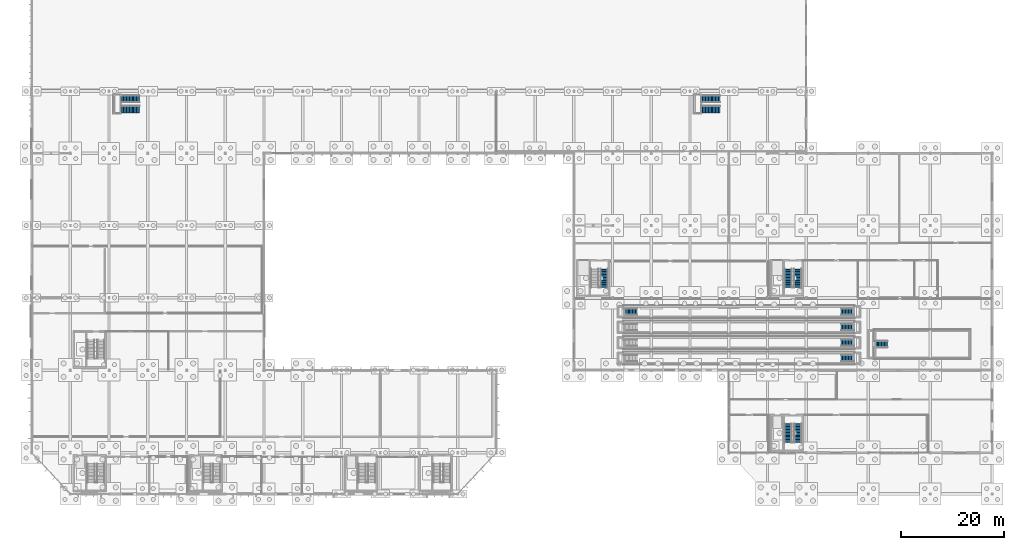
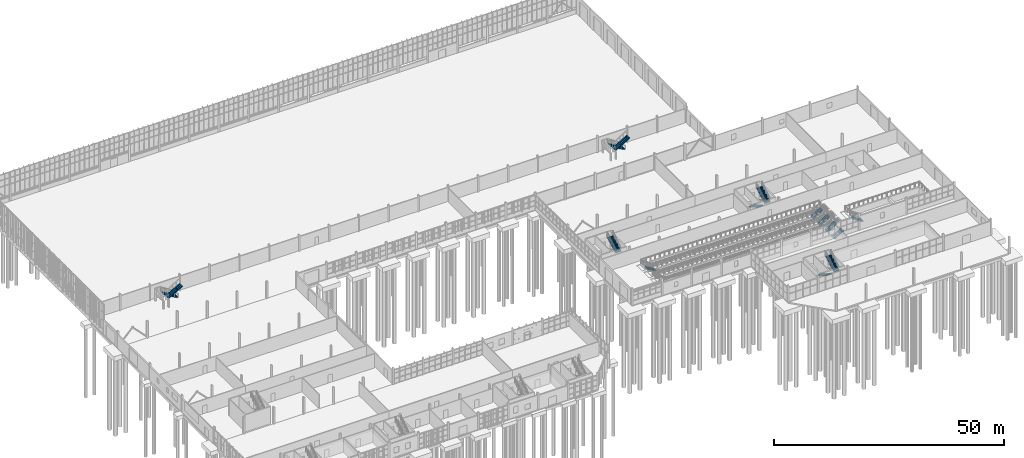
# One storey, part 118 of 136: 15 stair flights, 11 elements without a shape of their own.
"""IFC4 building model written with IfcOpenShell, lengths in metres."""

from ifc_helpers import new_model, si_unit, direction, frame, origin, place, context, subcontext, project, spatial, polyline, outline, extrude, material, type_object, element, aggregate, save


model = new_model("IFC4")

# Units and contexts
model_context = context("Model", 3, precision=1e-05, world=origin(), true_north=direction((0.0, 1.0)))
body_context = subcontext(model_context, "Body", "Model", "MODEL_VIEW")
ifc_project = project(units=[si_unit("LENGTHUNIT", "METRE"), si_unit("AREAUNIT", "SQUARE_METRE"), si_unit("VOLUMEUNIT", "CUBIC_METRE"), si_unit("PLANEANGLEUNIT", "RADIAN"), si_unit("MASSUNIT", "GRAM", prefix="KILO")], contexts=[model_context])

# Site, building, storey
site_placement = place(None, origin())
site = spatial("IfcSite", under=ifc_project, at=site_placement, CompositionType="ELEMENT")
building_placement = place(site_placement, origin())
building = spatial("IfcBuilding", under=site, at=building_placement, Name="Solvenia Promenade Tram Depot", CompositionType="ELEMENT")
storey_placement = place(building_placement, origin())
storey = spatial("IfcBuildingStorey", under=building, at=storey_placement, Name="L00", CompositionType="ELEMENT", Elevation=0.0)

# Stair, stair flights
ifc_material_1 = material(Name="Concrete C28/35", Category="concrete")
stair_type_1 = type_object("IfcStairType", Name="Stair-Core-1400", PredefinedType="TWO_STRAIGHT_RUN_STAIR", material=ifc_material_1)
stair_1_placement = place(storey_placement, origin())
stair_1 = element("IfcStair", 1, at=stair_1_placement, inside=storey, type_object=stair_type_1, Name="Enclosed Exit Stair ST-08-L00", PredefinedType="TWO_STRAIGHT_RUN_STAIR")
stair_flight_type_1 = type_object("IfcStairFlightType", Name="Flight-Core-1400", PredefinedType="STRAIGHT", material=ifc_material_1)
stair_flight_1_placement = place(storey_placement, frame((146.47998046875, 13.6201171875, 0.0), z_axis=(0.0, 0.0, 1.0), x_axis=(0.0, -1.0, 0.0)))
stair_flight_1 = element("IfcStairFlight", 2, at=stair_flight_1_placement, type_object=stair_flight_type_1, Name="ST-08-L00 flight 1", NumberOfRisers=14, NumberOfTreads=13, PredefinedType="STRAIGHT", RiserHeight=0.160714286, TreadLength=0.28, context=body_context, shape_type="SweptSolid", body=[
    extrude(outline(polyline([(0.0, 0.0), (0.0, 0.16064453125), (0.280029296875, 0.16064453125), (0.280029296875, 0.321533203125), (0.56005859375, 0.321533203125), (0.56005859375, 0.482177734375), (0.840087890625, 0.482177734375), (0.840087890625, 0.642822265625), (1.1201171875, 0.642822265625), (1.1201171875, 0.803466796875), (1.39990234375, 0.803466796875), (1.39990234375, 0.96435546875), (1.679931640625, 0.96435546875), (1.679931640625, 1.125), (1.9599609375, 1.125), (1.9599609375, 1.28564453125), (2.239990234375, 1.28564453125), (2.239990234375, 1.446533203125), (2.52001953125, 1.446533203125), (2.52001953125, 1.607177734375), (2.800048828125, 1.607177734375), (2.800048828125, 1.767822265625), (3.080078125, 1.767822265625), (3.080078125, 1.928466796875), (3.360107421875, 1.928466796875), (3.360107421875, 2.08935546875), (3.639892578125, 2.08935546875), (3.639892578125, 2.25), (3.639892578125, 1.90478515625), (0.3212890625, 0.0), (0.0, 0.0)])), frame((0.0, 0.699951171875, 0.0), z_axis=(0.0, -1.0, 0.0), x_axis=(1.0, 0.0, 0.0)), (0.0, 0.0, 1.0), 1.39990234375),
])
stair_flight_2_placement = place(storey_placement, frame((148.419921875, 9.97998046875, 2.25), z_axis=(0.0, 0.0, 1.0), x_axis=(0.0, 1.0, 0.0)))
stair_flight_2 = element("IfcStairFlight", 3, at=stair_flight_2_placement, type_object=stair_flight_type_1, Name="ST-08-L00 flight 2", NumberOfRisers=14, NumberOfTreads=13, PredefinedType="STRAIGHT", RiserHeight=0.160714286, TreadLength=0.28, context=body_context, shape_type="SweptSolid", body=[
    extrude(outline(polyline([(0.0, 0.0), (0.0, 0.16064453125), (0.280029296875, 0.16064453125), (0.280029296875, 0.321533203125), (0.56005859375, 0.321533203125), (0.56005859375, 0.482177734375), (0.840087890625, 0.482177734375), (0.840087890625, 0.642822265625), (1.1201171875, 0.642822265625), (1.1201171875, 0.803466796875), (1.39990234375, 0.803466796875), (1.39990234375, 0.96435546875), (1.679931640625, 0.96435546875), (1.679931640625, 1.125), (1.9599609375, 1.125), (1.9599609375, 1.28564453125), (2.239990234375, 1.28564453125), (2.239990234375, 1.446533203125), (2.52001953125, 1.446533203125), (2.52001953125, 1.607177734375), (2.800048828125, 1.607177734375), (2.800048828125, 1.767822265625), (3.080078125, 1.767822265625), (3.080078125, 1.928466796875), (3.360107421875, 1.928466796875), (3.360107421875, 2.08935546875), (3.639892578125, 2.08935546875), (3.639892578125, 2.25), (3.639892578125, 1.90478515625), (0.3212890625, 0.0), (0.0, 0.0)])), frame((0.0, 0.699951171875, 0.0), z_axis=(0.0, -1.0, 0.0), x_axis=(1.0, 0.0, 0.0)), (0.0, 0.0, 1.0), 1.39990234375),
])
aggregate(stair_1, [stair_flight_1, stair_flight_2])

# Stair, stair flight
stair_type_2 = type_object("IfcStairType", Name="Stair-Core-1460", PredefinedType="TWO_STRAIGHT_RUN_STAIR", material=ifc_material_1)
stair_2_placement = place(storey_placement, origin())
stair_2 = element("IfcStair", 4, at=stair_2_placement, inside=storey, type_object=stair_type_2, Name="Enclosed Exit Stair ST-05-L00", PredefinedType="TWO_STRAIGHT_RUN_STAIR")
stair_flight_type_2 = type_object("IfcStairFlightType", Name="Flight-Core-1460", PredefinedType="STRAIGHT", material=ifc_material_1)
stair_flight_3_placement = place(storey_placement, frame((110.889892578125, 39.97998046875, 2.25), z_axis=(0.0, 0.0, 1.0), x_axis=(0.0, 1.0, 0.0)))
stair_flight_3 = element("IfcStairFlight", 5, at=stair_flight_3_placement, type_object=stair_flight_type_2, Name="ST-05-L00 flight 2", NumberOfRisers=14, NumberOfTreads=13, PredefinedType="STRAIGHT", RiserHeight=0.160714286, TreadLength=0.28, context=body_context, shape_type="SweptSolid", body=[
    extrude(outline(polyline([(0.0, 0.0), (0.0, 0.16064453125), (0.280029296875, 0.16064453125), (0.280029296875, 0.321533203125), (0.56005859375, 0.321533203125), (0.56005859375, 0.482177734375), (0.840087890625, 0.482177734375), (0.840087890625, 0.642822265625), (1.1201171875, 0.642822265625), (1.1201171875, 0.803466796875), (1.39990234375, 0.803466796875), (1.39990234375, 0.96435546875), (1.679931640625, 0.96435546875), (1.679931640625, 1.125), (1.9599609375, 1.125), (1.9599609375, 1.28564453125), (2.239990234375, 1.28564453125), (2.239990234375, 1.446533203125), (2.52001953125, 1.446533203125), (2.52001953125, 1.607177734375), (2.800048828125, 1.607177734375), (2.800048828125, 1.767822265625), (3.080078125, 1.767822265625), (3.080078125, 1.928466796875), (3.360107421875, 1.928466796875), (3.360107421875, 2.08935546875), (3.639892578125, 2.08935546875), (3.639892578125, 2.25), (3.639892578125, 1.90478515625), (0.3212890625, 0.0), (0.0, 0.0)])), frame((0.0, 0.72998046875, 0.0), z_axis=(0.0, -1.0, 0.0), x_axis=(1.0, 0.0, 0.0)), (0.0, 0.0, 1.0), 1.4599609375),
])
aggregate(stair_2, [stair_flight_3])

# Stair, stair flights
stair_3_placement = place(storey_placement, origin())
stair_3 = element("IfcStair", 6, at=stair_3_placement, inside=storey, type_object=stair_type_2, Name="Enclosed Exit Stair ST-06-L00", PredefinedType="TWO_STRAIGHT_RUN_STAIR")
stair_flight_4_placement = place(storey_placement, frame((146.510009765625, 43.6201171875, 0.0), z_axis=(0.0, 0.0, 1.0), x_axis=(0.0, -1.0, 0.0)))
stair_flight_4 = element("IfcStairFlight", 7, at=stair_flight_4_placement, type_object=stair_flight_type_2, Name="ST-06-L00 flight 1", NumberOfRisers=14, NumberOfTreads=13, PredefinedType="STRAIGHT", RiserHeight=0.160714286, TreadLength=0.28, context=body_context, shape_type="SweptSolid", body=[
    extrude(outline(polyline([(0.0, 0.0), (0.0, 0.16064453125), (0.280029296875, 0.16064453125), (0.280029296875, 0.321533203125), (0.56005859375, 0.321533203125), (0.56005859375, 0.482177734375), (0.840087890625, 0.482177734375), (0.840087890625, 0.642822265625), (1.1201171875, 0.642822265625), (1.1201171875, 0.803466796875), (1.39990234375, 0.803466796875), (1.39990234375, 0.96435546875), (1.679931640625, 0.96435546875), (1.679931640625, 1.125), (1.9599609375, 1.125), (1.9599609375, 1.28564453125), (2.239990234375, 1.28564453125), (2.239990234375, 1.446533203125), (2.52001953125, 1.446533203125), (2.52001953125, 1.607177734375), (2.800048828125, 1.607177734375), (2.800048828125, 1.767822265625), (3.080078125, 1.767822265625), (3.080078125, 1.928466796875), (3.360107421875, 1.928466796875), (3.360107421875, 2.08935546875), (3.639892578125, 2.08935546875), (3.639892578125, 2.25), (3.639892578125, 1.90478515625), (0.3212890625, 0.0), (0.0, 0.0)])), frame((0.0, 0.72998046875, 0.0), z_axis=(0.0, -1.0, 0.0), x_axis=(1.0, 0.0, 0.0)), (0.0, 0.0, 1.0), 1.4599609375),
])
stair_flight_5_placement = place(storey_placement, frame((148.389892578125, 39.97998046875, 2.25), z_axis=(0.0, 0.0, 1.0), x_axis=(0.0, 1.0, 0.0)))
stair_flight_5 = element("IfcStairFlight", 8, at=stair_flight_5_placement, type_object=stair_flight_type_2, Name="ST-06-L00 flight 2", NumberOfRisers=14, NumberOfTreads=13, PredefinedType="STRAIGHT", RiserHeight=0.160714286, TreadLength=0.28, context=body_context, shape_type="SweptSolid", body=[
    extrude(outline(polyline([(0.0, 0.0), (0.0, 0.16064453125), (0.280029296875, 0.16064453125), (0.280029296875, 0.321533203125), (0.56005859375, 0.321533203125), (0.56005859375, 0.482177734375), (0.840087890625, 0.482177734375), (0.840087890625, 0.642822265625), (1.1201171875, 0.642822265625), (1.1201171875, 0.803466796875), (1.39990234375, 0.803466796875), (1.39990234375, 0.96435546875), (1.679931640625, 0.96435546875), (1.679931640625, 1.125), (1.9599609375, 1.125), (1.9599609375, 1.28564453125), (2.239990234375, 1.28564453125), (2.239990234375, 1.446533203125), (2.52001953125, 1.446533203125), (2.52001953125, 1.607177734375), (2.800048828125, 1.607177734375), (2.800048828125, 1.767822265625), (3.080078125, 1.767822265625), (3.080078125, 1.928466796875), (3.360107421875, 1.928466796875), (3.360107421875, 2.08935546875), (3.639892578125, 2.08935546875), (3.639892578125, 2.25), (3.639892578125, 1.90478515625), (0.3212890625, 0.0), (0.0, 0.0)])), frame((0.0, 0.72998046875, 0.0), z_axis=(0.0, -1.0, 0.0), x_axis=(1.0, 0.0, 0.0)), (0.0, 0.0, 1.0), 1.4599609375),
])
aggregate(stair_3, [stair_flight_4, stair_flight_5])

ifc_material_2 = material(Name="Structural steel ASTM A992 Gr. 50", Category="steel")
stair_type_3 = type_object("IfcStairType", Name="Stair-Gallery-1280", PredefinedType="TWO_STRAIGHT_RUN_STAIR", material=ifc_material_2)
stair_4_placement = place(storey_placement, origin())
stair_4 = element("IfcStair", 9, at=stair_4_placement, inside=storey, type_object=stair_type_3, Name="Catenary Gallery Steel Stair ST-GAL-01", PredefinedType="TWO_STRAIGHT_RUN_STAIR")
stair_flight_type_3 = type_object("IfcStairFlightType", Name="Flight-Gal-1280", PredefinedType="STRAIGHT", material=ifc_material_2)
stair_flight_6_placement = place(storey_placement, frame((20.889892578125, 76.550048828125, 0.0), z_axis=(0.0, 0.0, 1.0), x_axis=(-1.0, 0.0, 0.0)))
stair_flight_6 = element("IfcStairFlight", 10, at=stair_flight_6_placement, type_object=stair_flight_type_3, Name="ST-GAL-01 flight 1", NumberOfRisers=14, NumberOfTreads=13, PredefinedType="STRAIGHT", RiserHeight=0.160714286, TreadLength=0.28, context=body_context, shape_type="SweptSolid", body=[
    extrude(outline(polyline([(0.0, 0.0), (0.0, 0.16064453125), (0.280029296875, 0.16064453125), (0.280029296875, 0.321533203125), (0.56005859375, 0.321533203125), (0.56005859375, 0.482177734375), (0.840087890625, 0.482177734375), (0.840087890625, 0.642822265625), (1.1201171875, 0.642822265625), (1.1201171875, 0.803466796875), (1.39990234375, 0.803466796875), (1.39990234375, 0.96435546875), (1.679931640625, 0.96435546875), (1.679931640625, 1.125), (1.9599609375, 1.125), (1.9599609375, 1.28564453125), (2.239990234375, 1.28564453125), (2.239990234375, 1.446533203125), (2.52001953125, 1.446533203125), (2.52001953125, 1.607177734375), (2.800048828125, 1.607177734375), (2.800048828125, 1.767822265625), (3.080078125, 1.767822265625), (3.080078125, 1.928466796875), (3.360107421875, 1.928466796875), (3.360107421875, 2.08935546875), (3.639892578125, 2.08935546875), (3.639892578125, 2.25), (3.639892578125, 1.927978515625), (0.281005859375, 0.0), (0.0, 0.0)])), frame((0.0, 0.64013671875, 0.0), z_axis=(0.0, -1.0, 0.0), x_axis=(1.0, 0.0, 0.0)), (0.0, 0.0, 1.0), 1.280029296875),
])
stair_flight_7_placement = place(storey_placement, frame((17.25, 74.449951171875, 2.25), z_axis=(0.0, 0.0, 1.0), x_axis=(1.0, 0.0, 0.0)))
stair_flight_7 = element("IfcStairFlight", 11, at=stair_flight_7_placement, type_object=stair_flight_type_3, Name="ST-GAL-01 flight 2", NumberOfRisers=14, NumberOfTreads=13, PredefinedType="STRAIGHT", RiserHeight=0.160714286, TreadLength=0.28, context=body_context, shape_type="SweptSolid", body=[
    extrude(outline(polyline([(0.0, 0.0), (0.0, 0.16064453125), (0.280029296875, 0.16064453125), (0.280029296875, 0.321533203125), (0.56005859375, 0.321533203125), (0.56005859375, 0.482177734375), (0.840087890625, 0.482177734375), (0.840087890625, 0.642822265625), (1.1201171875, 0.642822265625), (1.1201171875, 0.803466796875), (1.39990234375, 0.803466796875), (1.39990234375, 0.96435546875), (1.679931640625, 0.96435546875), (1.679931640625, 1.125), (1.9599609375, 1.125), (1.9599609375, 1.28564453125), (2.239990234375, 1.28564453125), (2.239990234375, 1.446533203125), (2.52001953125, 1.446533203125), (2.52001953125, 1.607177734375), (2.800048828125, 1.607177734375), (2.800048828125, 1.767822265625), (3.080078125, 1.767822265625), (3.080078125, 1.928466796875), (3.360107421875, 1.928466796875), (3.360107421875, 2.08935546875), (3.639892578125, 2.08935546875), (3.639892578125, 2.25), (3.639892578125, 1.927978515625), (0.281005859375, 0.0), (0.0, 0.0)])), frame((0.0, 0.64013671875, 0.0), z_axis=(0.0, -1.0, 0.0), x_axis=(1.0, 0.0, 0.0)), (0.0, 0.0, 1.0), 1.280029296875),
])
aggregate(stair_4, [stair_flight_6, stair_flight_7])

stair_5_placement = place(storey_placement, origin())
stair_5 = element("IfcStair", 12, at=stair_5_placement, inside=storey, type_object=stair_type_3, Name="Catenary Gallery Steel Stair ST-GAL-02", PredefinedType="TWO_STRAIGHT_RUN_STAIR")
stair_flight_8_placement = place(storey_placement, frame((133.2900390625, 76.550048828125, 0.0), z_axis=(0.0, 0.0, 1.0), x_axis=(-1.0, 0.0, 0.0)))
stair_flight_8 = element("IfcStairFlight", 13, at=stair_flight_8_placement, type_object=stair_flight_type_3, Name="ST-GAL-02 flight 1", NumberOfRisers=14, NumberOfTreads=13, PredefinedType="STRAIGHT", RiserHeight=0.160714286, TreadLength=0.28, context=body_context, shape_type="SweptSolid", body=[
    extrude(outline(polyline([(0.0, 0.0), (0.0, 0.16064453125), (0.280029296875, 0.16064453125), (0.280029296875, 0.321533203125), (0.56005859375, 0.321533203125), (0.56005859375, 0.482177734375), (0.840087890625, 0.482177734375), (0.840087890625, 0.642822265625), (1.1201171875, 0.642822265625), (1.1201171875, 0.803466796875), (1.39990234375, 0.803466796875), (1.39990234375, 0.96435546875), (1.679931640625, 0.96435546875), (1.679931640625, 1.125), (1.9599609375, 1.125), (1.9599609375, 1.28564453125), (2.239990234375, 1.28564453125), (2.239990234375, 1.446533203125), (2.52001953125, 1.446533203125), (2.52001953125, 1.607177734375), (2.800048828125, 1.607177734375), (2.800048828125, 1.767822265625), (3.080078125, 1.767822265625), (3.080078125, 1.928466796875), (3.360107421875, 1.928466796875), (3.360107421875, 2.08935546875), (3.639892578125, 2.08935546875), (3.639892578125, 2.25), (3.639892578125, 1.927978515625), (0.281005859375, 0.0), (0.0, 0.0)])), frame((0.0, 0.64013671875, 0.0), z_axis=(0.0, -1.0, 0.0), x_axis=(1.0, 0.0, 0.0)), (0.0, 0.0, 1.0), 1.280029296875),
])
stair_flight_9_placement = place(storey_placement, frame((129.64990234375, 74.449951171875, 2.25), z_axis=(0.0, 0.0, 1.0), x_axis=(1.0, 0.0, 0.0)))
stair_flight_9 = element("IfcStairFlight", 14, at=stair_flight_9_placement, type_object=stair_flight_type_3, Name="ST-GAL-02 flight 2", NumberOfRisers=14, NumberOfTreads=13, PredefinedType="STRAIGHT", RiserHeight=0.160714286, TreadLength=0.28, context=body_context, shape_type="SweptSolid", body=[
    extrude(outline(polyline([(0.0, 0.0), (0.0, 0.16064453125), (0.280029296875, 0.16064453125), (0.280029296875, 0.321533203125), (0.56005859375, 0.321533203125), (0.56005859375, 0.482177734375), (0.840087890625, 0.482177734375), (0.840087890625, 0.642822265625), (1.1201171875, 0.642822265625), (1.1201171875, 0.803466796875), (1.39990234375, 0.803466796875), (1.39990234375, 0.96435546875), (1.679931640625, 0.96435546875), (1.679931640625, 1.125), (1.9599609375, 1.125), (1.9599609375, 1.28564453125), (2.239990234375, 1.28564453125), (2.239990234375, 1.446533203125), (2.52001953125, 1.446533203125), (2.52001953125, 1.607177734375), (2.800048828125, 1.607177734375), (2.800048828125, 1.767822265625), (3.080078125, 1.767822265625), (3.080078125, 1.928466796875), (3.360107421875, 1.928466796875), (3.360107421875, 2.08935546875), (3.639892578125, 2.08935546875), (3.639892578125, 2.25), (3.639892578125, 1.927978515625), (0.281005859375, 0.0), (0.0, 0.0)])), frame((0.0, 0.64013671875, 0.0), z_axis=(0.0, -1.0, 0.0), x_axis=(1.0, 0.0, 0.0)), (0.0, 0.0, 1.0), 1.280029296875),
])
aggregate(stair_5, [stair_flight_8, stair_flight_9])

# Stair, stair flight
stair_type_4 = type_object("IfcStairType", Name="Stair-Pit-1120", PredefinedType="STRAIGHT_RUN_STAIR", material=ifc_material_1)
stair_6_placement = place(storey_placement, origin())
stair_6 = element("IfcStair", 15, at=stair_6_placement, inside=storey, type_object=stair_type_4, Name="Inspection Pit Bay 1 East Escape Stair ST-PITE-01", PredefinedType="STRAIGHT_RUN_STAIR")
stair_flight_type_4 = type_object("IfcStairFlightType", Name="Flight-Pit-1120", PredefinedType="STRAIGHT", material=ifc_material_1)
stair_flight_10_placement = place(storey_placement, frame((156.780029296875, 26.300048828125, -1.675048828125), z_axis=(0.0, 0.0, 1.0), x_axis=(1.0, 0.0, 0.0)))
stair_flight_10 = element("IfcStairFlight", 16, at=stair_flight_10_placement, type_object=stair_flight_type_4, Name="ST-PITE-01 flight 1", NumberOfRisers=10, NumberOfTreads=9, PredefinedType="STRAIGHT", RiserHeight=0.1675, TreadLength=0.28, context=body_context, shape_type="SweptSolid", body=[
    extrude(outline(polyline([(0.0, 0.0), (0.0, 0.16748046875), (0.280029296875, 0.16748046875), (0.280029296875, 0.3349609375), (0.56005859375, 0.3349609375), (0.56005859375, 0.50244140625), (0.840087890625, 0.50244140625), (0.840087890625, 0.669921875), (1.1201171875, 0.669921875), (1.1201171875, 0.83740234375), (1.39990234375, 0.83740234375), (1.39990234375, 1.0048828125), (1.679931640625, 1.0048828125), (1.679931640625, 1.172607421875), (1.9599609375, 1.172607421875), (1.9599609375, 1.340087890625), (2.239990234375, 1.340087890625), (2.239990234375, 1.507568359375), (2.52001953125, 1.507568359375), (2.52001953125, 1.675048828125), (2.52001953125, 1.332763671875), (0.2919921875, 0.0), (0.0, 0.0)])), frame((0.0, 0.6201171875, 0.0), z_axis=(0.0, -1.0, 0.0), x_axis=(1.0, 0.0, 0.0)), (0.0, 0.0, 1.0), 1.239990234375),
])
aggregate(stair_6, [stair_flight_10])

stair_7_placement = place(storey_placement, origin())
stair_7 = element("IfcStair", 17, at=stair_7_placement, inside=storey, type_object=stair_type_4, Name="Inspection Pit Bay 2 East Escape Stair ST-PITE-02", PredefinedType="STRAIGHT_RUN_STAIR")
stair_flight_11_placement = place(storey_placement, frame((156.780029296875, 29.300048828125, -1.675048828125), z_axis=(0.0, 0.0, 1.0), x_axis=(1.0, 0.0, 0.0)))
stair_flight_11 = element("IfcStairFlight", 18, at=stair_flight_11_placement, type_object=stair_flight_type_4, Name="ST-PITE-02 flight 1", NumberOfRisers=10, NumberOfTreads=9, PredefinedType="STRAIGHT", RiserHeight=0.1675, TreadLength=0.28, context=body_context, shape_type="SweptSolid", body=[
    extrude(outline(polyline([(0.0, 0.0), (0.0, 0.16748046875), (0.280029296875, 0.16748046875), (0.280029296875, 0.3349609375), (0.56005859375, 0.3349609375), (0.56005859375, 0.50244140625), (0.840087890625, 0.50244140625), (0.840087890625, 0.669921875), (1.1201171875, 0.669921875), (1.1201171875, 0.83740234375), (1.39990234375, 0.83740234375), (1.39990234375, 1.0048828125), (1.679931640625, 1.0048828125), (1.679931640625, 1.172607421875), (1.9599609375, 1.172607421875), (1.9599609375, 1.340087890625), (2.239990234375, 1.340087890625), (2.239990234375, 1.507568359375), (2.52001953125, 1.507568359375), (2.52001953125, 1.675048828125), (2.52001953125, 1.332763671875), (0.2919921875, 0.0), (0.0, 0.0)])), frame((0.0, 0.6201171875, 0.0), z_axis=(0.0, -1.0, 0.0), x_axis=(1.0, 0.0, 0.0)), (0.0, 0.0, 1.0), 1.239990234375),
])
aggregate(stair_7, [stair_flight_11])

stair_8_placement = place(storey_placement, origin())
stair_8 = element("IfcStair", 19, at=stair_8_placement, inside=storey, type_object=stair_type_4, Name="Inspection Pit Bay 3 East Escape Stair ST-PITE-03", PredefinedType="STRAIGHT_RUN_STAIR")
stair_flight_12_placement = place(storey_placement, frame((156.780029296875, 32.300048828125, -1.675048828125), z_axis=(0.0, 0.0, 1.0), x_axis=(1.0, 0.0, 0.0)))
stair_flight_12 = element("IfcStairFlight", 20, at=stair_flight_12_placement, type_object=stair_flight_type_4, Name="ST-PITE-03 flight 1", NumberOfRisers=10, NumberOfTreads=9, PredefinedType="STRAIGHT", RiserHeight=0.1675, TreadLength=0.28, context=body_context, shape_type="SweptSolid", body=[
    extrude(outline(polyline([(0.0, 0.0), (0.0, 0.16748046875), (0.280029296875, 0.16748046875), (0.280029296875, 0.3349609375), (0.56005859375, 0.3349609375), (0.56005859375, 0.50244140625), (0.840087890625, 0.50244140625), (0.840087890625, 0.669921875), (1.1201171875, 0.669921875), (1.1201171875, 0.83740234375), (1.39990234375, 0.83740234375), (1.39990234375, 1.0048828125), (1.679931640625, 1.0048828125), (1.679931640625, 1.172607421875), (1.9599609375, 1.172607421875), (1.9599609375, 1.340087890625), (2.239990234375, 1.340087890625), (2.239990234375, 1.507568359375), (2.52001953125, 1.507568359375), (2.52001953125, 1.675048828125), (2.52001953125, 1.332763671875), (0.2919921875, 0.0), (0.0, 0.0)])), frame((0.0, 0.6201171875, 0.0), z_axis=(0.0, -1.0, 0.0), x_axis=(1.0, 0.0, 0.0)), (0.0, 0.0, 1.0), 1.239990234375),
])
aggregate(stair_8, [stair_flight_12])

stair_9_placement = place(storey_placement, origin())
stair_9 = element("IfcStair", 21, at=stair_9_placement, inside=storey, type_object=stair_type_4, Name="Inspection Pit Bay 4 Access Stair ST-PIT-04", PredefinedType="STRAIGHT_RUN_STAIR")
stair_flight_13_placement = place(storey_placement, frame((117.219970703125, 35.300048828125, -1.675048828125), z_axis=(0.0, 0.0, 1.0), x_axis=(-1.0, 0.0, 0.0)))
stair_flight_13 = element("IfcStairFlight", 22, at=stair_flight_13_placement, type_object=stair_flight_type_4, Name="ST-PIT-04 flight 1", NumberOfRisers=10, NumberOfTreads=9, PredefinedType="STRAIGHT", RiserHeight=0.1675, TreadLength=0.28, context=body_context, shape_type="SweptSolid", body=[
    extrude(outline(polyline([(0.0, 0.0), (0.0, 0.16748046875), (0.280029296875, 0.16748046875), (0.280029296875, 0.3349609375), (0.56005859375, 0.3349609375), (0.56005859375, 0.50244140625), (0.840087890625, 0.50244140625), (0.840087890625, 0.669921875), (1.1201171875, 0.669921875), (1.1201171875, 0.83740234375), (1.39990234375, 0.83740234375), (1.39990234375, 1.0048828125), (1.679931640625, 1.0048828125), (1.679931640625, 1.172607421875), (1.9599609375, 1.172607421875), (1.9599609375, 1.340087890625), (2.239990234375, 1.340087890625), (2.239990234375, 1.507568359375), (2.52001953125, 1.507568359375), (2.52001953125, 1.675048828125), (2.52001953125, 1.332763671875), (0.2919921875, 0.0), (0.0, 0.0)])), frame((0.0, 0.6201171875, 0.0), z_axis=(0.0, -1.0, 0.0), x_axis=(1.0, 0.0, 0.0)), (0.0, 0.0, 1.0), 1.239990234375),
])
aggregate(stair_9, [stair_flight_13])

stair_10_placement = place(storey_placement, origin())
stair_10 = element("IfcStair", 23, at=stair_10_placement, inside=storey, type_object=stair_type_4, Name="Inspection Pit Bay 4 East Escape Stair ST-PITE-04", PredefinedType="STRAIGHT_RUN_STAIR")
stair_flight_14_placement = place(storey_placement, frame((156.780029296875, 35.300048828125, -1.675048828125), z_axis=(0.0, 0.0, 1.0), x_axis=(1.0, 0.0, 0.0)))
stair_flight_14 = element("IfcStairFlight", 24, at=stair_flight_14_placement, type_object=stair_flight_type_4, Name="ST-PITE-04 flight 1", NumberOfRisers=10, NumberOfTreads=9, PredefinedType="STRAIGHT", RiserHeight=0.1675, TreadLength=0.28, context=body_context, shape_type="SweptSolid", body=[
    extrude(outline(polyline([(0.0, 0.0), (0.0, 0.16748046875), (0.280029296875, 0.16748046875), (0.280029296875, 0.3349609375), (0.56005859375, 0.3349609375), (0.56005859375, 0.50244140625), (0.840087890625, 0.50244140625), (0.840087890625, 0.669921875), (1.1201171875, 0.669921875), (1.1201171875, 0.83740234375), (1.39990234375, 0.83740234375), (1.39990234375, 1.0048828125), (1.679931640625, 1.0048828125), (1.679931640625, 1.172607421875), (1.9599609375, 1.172607421875), (1.9599609375, 1.340087890625), (2.239990234375, 1.340087890625), (2.239990234375, 1.507568359375), (2.52001953125, 1.507568359375), (2.52001953125, 1.675048828125), (2.52001953125, 1.332763671875), (0.2919921875, 0.0), (0.0, 0.0)])), frame((0.0, 0.6201171875, 0.0), z_axis=(0.0, -1.0, 0.0), x_axis=(1.0, 0.0, 0.0)), (0.0, 0.0, 1.0), 1.239990234375),
])
aggregate(stair_10, [stair_flight_14])

stair_type_5 = type_object("IfcStairType", Name="Stair-Lathe-1200", PredefinedType="STRAIGHT_RUN_STAIR", material=ifc_material_1)
stair_11_placement = place(storey_placement, origin())
stair_11 = element("IfcStair", 25, at=stair_11_placement, inside=storey, type_object=stair_type_5, Name="Underfloor Wheel Lathe Bay Access Stair ST-PIT-05", PredefinedType="STRAIGHT_RUN_STAIR")
stair_flight_type_5 = type_object("IfcStairFlightType", Name="Flight-Pit-1200", PredefinedType="STRAIGHT", material=ifc_material_1)
stair_flight_15_placement = place(storey_placement, frame((165.719970703125, 29.0, -1.675048828125), z_axis=(0.0, 0.0, 1.0), x_axis=(-1.0, 0.0, 0.0)))
stair_flight_15 = element("IfcStairFlight", 26, at=stair_flight_15_placement, type_object=stair_flight_type_5, Name="ST-PIT-05 flight 1", NumberOfRisers=10, NumberOfTreads=9, PredefinedType="STRAIGHT", RiserHeight=0.1675, TreadLength=0.28, context=body_context, shape_type="SweptSolid", body=[
    extrude(outline(polyline([(0.0, 0.0), (0.0, 0.16748046875), (0.280029296875, 0.16748046875), (0.280029296875, 0.3349609375), (0.56005859375, 0.3349609375), (0.56005859375, 0.50244140625), (0.840087890625, 0.50244140625), (0.840087890625, 0.669921875), (1.1201171875, 0.669921875), (1.1201171875, 0.83740234375), (1.39990234375, 0.83740234375), (1.39990234375, 1.0048828125), (1.679931640625, 1.0048828125), (1.679931640625, 1.172607421875), (1.9599609375, 1.172607421875), (1.9599609375, 1.340087890625), (2.239990234375, 1.340087890625), (2.239990234375, 1.507568359375), (2.52001953125, 1.507568359375), (2.52001953125, 1.675048828125), (2.52001953125, 1.332763671875), (0.2919921875, 0.0), (0.0, 0.0)])), frame((0.0, 0.64990234375, 0.0), z_axis=(0.0, -1.0, 0.0), x_axis=(1.0, 0.0, 0.0)), (0.0, 0.0, 1.0), 1.300048828125),
])
aggregate(stair_11, [stair_flight_15])

save(model, "model.ifc")
